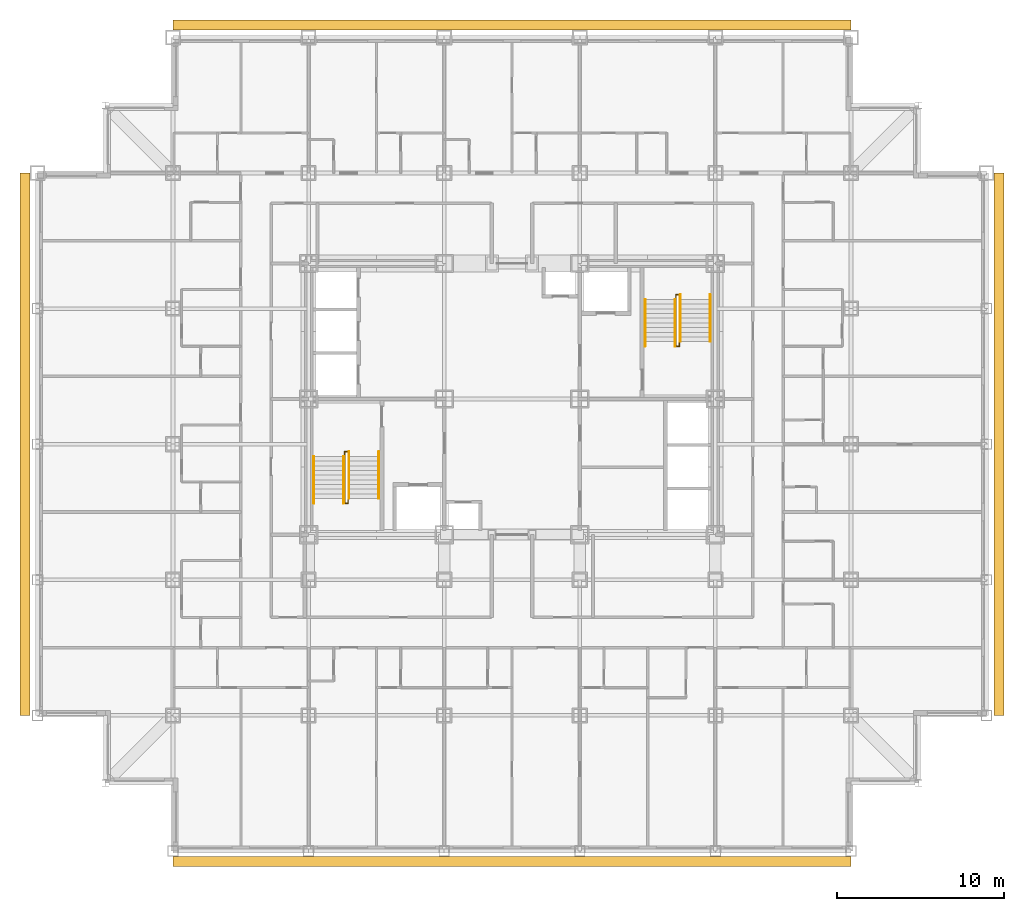
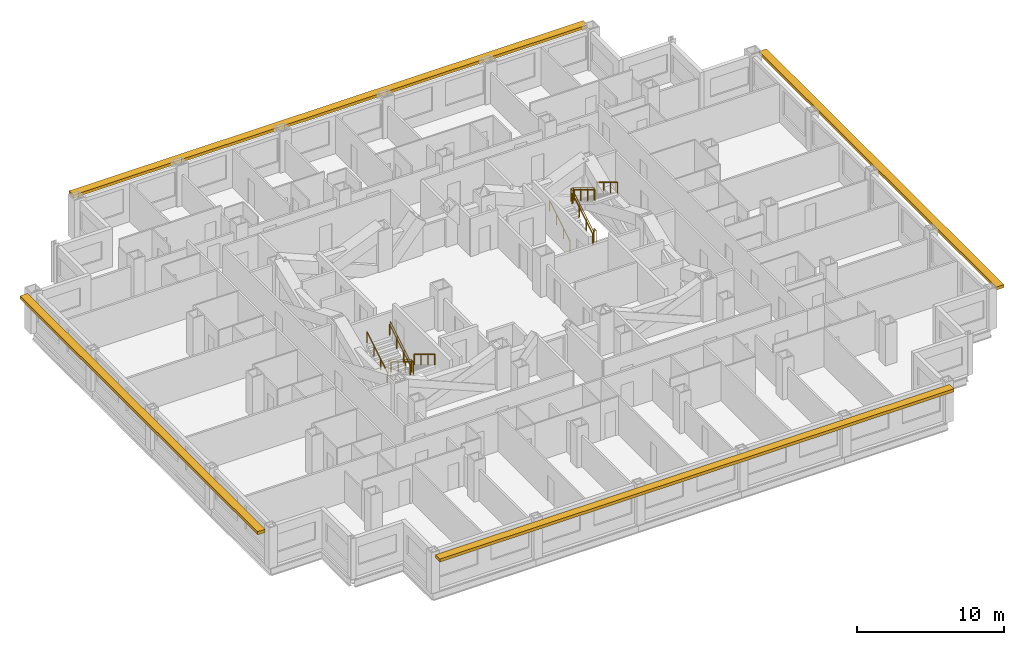
# One storey, part 12 of 12: 10 railings, 4 shading devices.
"""IFC4 building model written with IfcOpenShell, lengths in metres."""

from ifc_helpers import new_model, si_unit, direction, frame, origin, origin_2d, place, context, subcontext, project, spatial, rectangle, circle, extrude, material, type_object, element, save


model = new_model("IFC4")

# Units and contexts
model_context = context("Model", 3, precision=1e-05, world=origin(), true_north=direction((0.0, 1.0)))
body_context = subcontext(model_context, "Body", "Model", "MODEL_VIEW")
ifc_project = project(units=[si_unit("LENGTHUNIT", "METRE"), si_unit("AREAUNIT", "SQUARE_METRE"), si_unit("VOLUMEUNIT", "CUBIC_METRE"), si_unit("PLANEANGLEUNIT", "RADIAN"), si_unit("MASSUNIT", "GRAM", prefix="KILO")], contexts=[model_context])

# Site, building, storey
site_placement = place(None, origin())
site = spatial("IfcSite", under=ifc_project, at=site_placement, CompositionType="ELEMENT")
building_placement = place(site_placement, origin())
building = spatial("IfcBuilding", under=site, at=building_placement, Name="Kopane Lantern Tower", CompositionType="ELEMENT")
storey_placement = place(building_placement, frame((0.0, 0.0, 120.39990234375)))
storey = spatial("IfcBuildingStorey", under=building, at=storey_placement, Name="L30", CompositionType="ELEMENT", Elevation=120.39990234375)

# Railings
ifc_material_1 = material(Name="Steel", Category="steel")
railing_type_1 = type_object("IfcRailingType", Name="STAIR GUARD 1100", PredefinedType="GUARDRAIL", material=ifc_material_1)
railing_1_placement = place(storey_placement, frame((18.35009765625, 28.969970703125, 0.0)))
element("IfcRailing", 1, at=railing_1_placement, inside=storey, type_object=railing_type_1, Name="ST1 well guard L30", PredefinedType="GUARDRAIL", context=body_context, shape_type="SweptSolid", body=[
    extrude(circle(Radius=0.02392578125, at=origin_2d()), frame((0.0, 0.0, 1.076171875), z_axis=(0.0, 1.0, 0.0), x_axis=(-1.0, 0.0, 0.0)), (0.0, 0.0, 1.0), 0.280029296875),
    extrude(circle(Radius=0.02392578125, at=origin_2d()), frame((0.0, 0.280029296875, 1.076171875), z_axis=(1.0, 0.0, 0.0), x_axis=(0.0, 1.0, 0.0)), (0.0, 0.0, 1.0), 0.199951171875),
    extrude(circle(Radius=0.02392578125, at=origin_2d()), frame((0.199951171875, 0.280029296875, 1.076171875), z_axis=(0.0, -0.854765079529, 0.519015085347), x_axis=(1.0, 0.0, 0.0)), (0.0, 0.0, 1.0), 3.27587890625),
    extrude(circle(Radius=0.02392578125, at=origin_2d()), frame((0.199951171875, -2.52001953125, 2.7763671875), z_axis=(0.0, -1.0, 0.0), x_axis=(1.0, 0.0, 0.0)), (0.0, 0.0, 1.0), 0.280029296875),
    extrude(circle(Radius=0.02392578125, at=origin_2d()), frame((0.199951171875, -2.800048828125, 2.7763671875), z_axis=(-1.0, 0.0, 0.0), x_axis=(0.0, -1.0, 0.0)), (0.0, 0.0, 1.0), 0.199951171875),
    extrude(circle(Radius=0.02392578125, at=origin_2d()), frame((0.0, -2.800048828125, 2.7763671875), z_axis=(0.0, 0.854798142509, 0.518960630071), x_axis=(-1.0, 0.0, 0.0)), (0.0, 0.0, 1.0), 3.275634765625),
    extrude(circle(Radius=0.02099609375, at=origin_2d()), origin(), (0.0, 0.0, 1.0), 1.052001953125),
    extrude(circle(Radius=0.02099609375, at=origin_2d()), frame((0.0, 0.280029296875, 0.0)), (0.0, 0.0, 1.0), 1.052001953125),
    extrude(circle(Radius=0.02099609375, at=origin_2d()), frame((0.199951171875, 0.280029296875, 0.0)), (0.0, 0.0, 1.0), 1.052001953125),
    extrude(circle(Radius=0.02099609375, at=origin_2d()), frame((0.199951171875, -0.6533203125, 0.566650390625)), (0.0, 0.0, 1.0), 1.052001953125),
    extrude(circle(Radius=0.02099609375, at=origin_2d()), frame((0.199951171875, -1.586669921875, 1.133544921875)), (0.0, 0.0, 1.0), 1.052001953125),
    extrude(circle(Radius=0.02099609375, at=origin_2d()), frame((0.199951171875, -2.52001953125, 1.7001953125)), (0.0, 0.0, 1.0), 1.052001953125),
    extrude(circle(Radius=0.02099609375, at=origin_2d()), frame((0.199951171875, -2.800048828125, 1.7001953125)), (0.0, 0.0, 1.0), 1.052001953125),
    extrude(circle(Radius=0.02099609375, at=origin_2d()), frame((0.0, -2.800048828125, 1.7001953125)), (0.0, 0.0, 1.0), 1.052001953125),
    extrude(circle(Radius=0.02099609375, at=origin_2d()), frame((0.0, -1.86669921875, 2.266845703125)), (0.0, 0.0, 1.0), 1.052001953125),
    extrude(circle(Radius=0.02099609375, at=origin_2d()), frame((0.0, -0.933349609375, 2.83349609375)), (0.0, 0.0, 1.0), 1.052001953125),
    extrude(circle(Radius=0.02099609375, at=origin_2d()), frame((0.0, 0.0, 3.400146484375)), (0.0, 0.0, 1.0), 1.052001953125),
])
railing_2_placement = place(storey_placement, frame((38.35009765625, 35.830078125, 0.0)))
element("IfcRailing", 2, at=railing_2_placement, inside=storey, type_object=railing_type_1, Name="ST2 well guard L30", PredefinedType="GUARDRAIL", context=body_context, shape_type="SweptSolid", body=[
    extrude(circle(Radius=0.02392578125, at=origin_2d()), frame((0.0, 0.0, 1.076171875), z_axis=(0.0, -1.0, 0.0), x_axis=(1.0, 0.0, 0.0)), (0.0, 0.0, 1.0), 0.280029296875),
    extrude(circle(Radius=0.02392578125, at=origin_2d()), frame((0.0, -0.280029296875, 1.076171875), z_axis=(-1.0, 0.0, 0.0), x_axis=(0.0, -1.0, 0.0)), (0.0, 0.0, 1.0), 0.2001953125),
    extrude(circle(Radius=0.02392578125, at=origin_2d()), frame((-0.2001953125, -0.280029296875, 1.076171875), z_axis=(0.0, 0.854765079529, 0.519015085347), x_axis=(-1.0, 0.0, 0.0)), (0.0, 0.0, 1.0), 3.27587890625),
    extrude(circle(Radius=0.02392578125, at=origin_2d()), frame((-0.2001953125, 2.52001953125, 2.7763671875), z_axis=(0.0, 1.0, 0.0), x_axis=(-1.0, 0.0, 0.0)), (0.0, 0.0, 1.0), 0.27978515625),
    extrude(circle(Radius=0.02392578125, at=origin_2d()), frame((-0.2001953125, 2.7998046875, 2.7763671875), z_axis=(1.0, 0.0, 0.0), x_axis=(0.0, 1.0, 0.0)), (0.0, 0.0, 1.0), 0.2001953125),
    extrude(circle(Radius=0.02392578125, at=origin_2d()), frame((0.0, 2.7998046875, 2.7763671875), z_axis=(0.0, -0.854778067842, 0.518993694313), x_axis=(1.0, 0.0, 0.0)), (0.0, 0.0, 1.0), 3.275390625),
    extrude(circle(Radius=0.02099609375, at=origin_2d()), origin(), (0.0, 0.0, 1.0), 1.052001953125),
    extrude(circle(Radius=0.02099609375, at=origin_2d()), frame((0.0, -0.280029296875, 0.0)), (0.0, 0.0, 1.0), 1.052001953125),
    extrude(circle(Radius=0.02099609375, at=origin_2d()), frame((-0.2001953125, -0.280029296875, 0.0)), (0.0, 0.0, 1.0), 1.052001953125),
    extrude(circle(Radius=0.02099609375, at=origin_2d()), frame((-0.2001953125, 0.6533203125, 0.566650390625)), (0.0, 0.0, 1.0), 1.052001953125),
    extrude(circle(Radius=0.02099609375, at=origin_2d()), frame((-0.2001953125, 1.586669921875, 1.133544921875)), (0.0, 0.0, 1.0), 1.052001953125),
    extrude(circle(Radius=0.02099609375, at=origin_2d()), frame((-0.2001953125, 2.52001953125, 1.7001953125)), (0.0, 0.0, 1.0), 1.052001953125),
    extrude(circle(Radius=0.02099609375, at=origin_2d()), frame((-0.2001953125, 2.7998046875, 1.7001953125)), (0.0, 0.0, 1.0), 1.052001953125),
    extrude(circle(Radius=0.02099609375, at=origin_2d()), frame((0.0, 2.7998046875, 1.7001953125)), (0.0, 0.0, 1.0), 1.052001953125),
    extrude(circle(Radius=0.02099609375, at=origin_2d()), frame((0.0, 1.866455078125, 2.266845703125)), (0.0, 0.0, 1.0), 1.052001953125),
    extrude(circle(Radius=0.02099609375, at=origin_2d()), frame((0.0, 0.933349609375, 2.83349609375)), (0.0, 0.0, 1.0), 1.052001953125),
    extrude(circle(Radius=0.02099609375, at=origin_2d()), frame((0.0, 0.0, 3.400146484375)), (0.0, 0.0, 1.0), 1.052001953125),
])
ifc_material_2 = material(Name="Steel", Category="steel")
railing_type_2 = type_object("IfcRailingType", Name="STAIR HANDRAIL 900", PredefinedType="HANDRAIL", material=ifc_material_2)
for number, where, name in (
    (3, (20.389892578125, 29.25, 0.0), "ST1 handrail L30 flight 1"),
    (4, (18.610107421875, 29.25, 0.0), "ST1 handrail L30 flight 1"),
):
    element("IfcRailing", number, at=place(storey_placement, frame(where)), inside=storey, type_object=railing_type_2, Name=name, PredefinedType="HANDRAIL", context=body_context, shape_type="SweptSolid", body=[
        extrude(circle(Radius=0.02392578125, at=origin_2d()), frame((0.0, 0.0, 0.8759765625), z_axis=(0.0, -0.854765079529, 0.519015085347), x_axis=(1.0, 0.0, 0.0)), (0.0, 0.0, 1.0), 3.27587890625),
        extrude(circle(Radius=0.02099609375, at=origin_2d()), origin(), (0.0, 0.0, 1.0), 0.851806640625),
        extrude(circle(Radius=0.02099609375, at=origin_2d()), frame((0.0, -0.933349609375, 0.566650390625)), (0.0, 0.0, 1.0), 0.851806640625),
        extrude(circle(Radius=0.02099609375, at=origin_2d()), frame((0.0, -1.86669921875, 1.133544921875)), (0.0, 0.0, 1.0), 0.851806640625),
        extrude(circle(Radius=0.02099609375, at=origin_2d()), frame((0.0, -2.800048828125, 1.7001953125)), (0.0, 0.0, 1.0), 0.851806640625),
    ])
for number, where, name in (
    (5, (16.510009765625, 26.169921875, 1.7001953125), "ST1 handrail L30 flight 2"),
    (6, (18.2900390625, 26.169921875, 1.7001953125), "ST1 handrail L30 flight 2"),
):
    element("IfcRailing", number, at=place(storey_placement, frame(where)), inside=storey, type_object=railing_type_2, Name=name, PredefinedType="HANDRAIL", context=body_context, shape_type="SweptSolid", body=[
        extrude(circle(Radius=0.02392578125, at=origin_2d()), frame((0.0, 0.0, 0.8759765625), z_axis=(0.0, 0.854798142509, 0.518960630071), x_axis=(-1.0, 0.0, 0.0)), (0.0, 0.0, 1.0), 3.275634765625),
        extrude(circle(Radius=0.02099609375, at=origin_2d()), origin(), (0.0, 0.0, 1.0), 0.851806640625),
        extrude(circle(Radius=0.02099609375, at=origin_2d()), frame((0.0, 0.933349609375, 0.566650390625)), (0.0, 0.0, 1.0), 0.851806640625),
        extrude(circle(Radius=0.02099609375, at=origin_2d()), frame((0.0, 1.86669921875, 1.13330078125)), (0.0, 0.0, 1.0), 0.851806640625),
        extrude(circle(Radius=0.02099609375, at=origin_2d()), frame((0.0, 2.800048828125, 1.699951171875)), (0.0, 0.0, 1.0), 0.851806640625),
    ])
for number, where, name in (
    (7, (36.31005859375, 35.550048828125, 0.0), "ST2 handrail L30 flight 1"),
    (8, (38.090087890625, 35.550048828125, 0.0), "ST2 handrail L30 flight 1"),
):
    element("IfcRailing", number, at=place(storey_placement, frame(where)), inside=storey, type_object=railing_type_2, Name=name, PredefinedType="HANDRAIL", context=body_context, shape_type="SweptSolid", body=[
        extrude(circle(Radius=0.02392578125, at=origin_2d()), frame((0.0, 0.0, 0.8759765625), z_axis=(0.0, 0.854765079529, 0.519015085347), x_axis=(-1.0, 0.0, 0.0)), (0.0, 0.0, 1.0), 3.27587890625),
        extrude(circle(Radius=0.02099609375, at=origin_2d()), origin(), (0.0, 0.0, 1.0), 0.851806640625),
        extrude(circle(Radius=0.02099609375, at=origin_2d()), frame((0.0, 0.933349609375, 0.566650390625)), (0.0, 0.0, 1.0), 0.851806640625),
        extrude(circle(Radius=0.02099609375, at=origin_2d()), frame((0.0, 1.86669921875, 1.133544921875)), (0.0, 0.0, 1.0), 0.851806640625),
        extrude(circle(Radius=0.02099609375, at=origin_2d()), frame((0.0, 2.800048828125, 1.7001953125)), (0.0, 0.0, 1.0), 0.851806640625),
    ])
for number, where, name in (
    (9, (40.18994140625, 38.6298828125, 1.7001953125), "ST2 handrail L30 flight 2"),
    (10, (38.409912109375, 38.6298828125, 1.7001953125), "ST2 handrail L30 flight 2"),
):
    element("IfcRailing", number, at=place(storey_placement, frame(where)), inside=storey, type_object=railing_type_2, Name=name, PredefinedType="HANDRAIL", context=body_context, shape_type="SweptSolid", body=[
        extrude(circle(Radius=0.02392578125, at=origin_2d()), frame((0.0, 0.0, 0.8759765625), z_axis=(0.0, -0.854778067842, 0.518993694313), x_axis=(1.0, 0.0, 0.0)), (0.0, 0.0, 1.0), 3.275390625),
        extrude(circle(Radius=0.02099609375, at=origin_2d()), origin(), (0.0, 0.0, 1.0), 0.851806640625),
        extrude(circle(Radius=0.02099609375, at=origin_2d()), frame((0.0, -0.933349609375, 0.566650390625)), (0.0, 0.0, 1.0), 0.851806640625),
        extrude(circle(Radius=0.02099609375, at=origin_2d()), frame((0.0, -1.866455078125, 1.13330078125)), (0.0, 0.0, 1.0), 0.851806640625),
        extrude(circle(Radius=0.02099609375, at=origin_2d()), frame((0.0, -2.7998046875, 1.699951171875)), (0.0, 0.0, 1.0), 0.851806640625),
    ])

# Shading devices
ifc_material_3 = material(Name="Terracotta rainscreen on light steel framing", Category="masonry")
shading_device_type = type_object("IfcShadingDeviceType", Name="SUNSHADE BAND SB1 600 TERRACOTTA", PredefinedType="USERDEFINED", material=ifc_material_3)
shading_device_1_placement = place(storey_placement, frame((28.35009765625, 4.77490234375, 2.900146484375), z_axis=(0.0, 0.0, 1.0), x_axis=(1.0, 0.0, 0.0)))
element("IfcShadingDevice", 11, at=shading_device_1_placement, inside=storey, type_object=shading_device_type, Name="Sunshade band S L30", ObjectType="SUNSHADE BAND", PredefinedType="USERDEFINED", context=body_context, shape_type="SweptSolid", body=[
    extrude(rectangle(XDim=40.5, YDim=0.60009765625, at=origin_2d()), origin(), (0.0, 0.0, 1.0), 0.25),
])
shading_device_2_placement = place(storey_placement, frame((57.449951171875, 29.699951171875, 2.900146484375), z_axis=(0.0, 0.0, 1.0), x_axis=(0.0, 1.0, 0.0)))
element("IfcShadingDevice", 12, at=shading_device_2_placement, inside=storey, type_object=shading_device_type, Name="Sunshade band E L30", ObjectType="SUNSHADE BAND", PredefinedType="USERDEFINED", context=body_context, shape_type="SweptSolid", body=[
    extrude(rectangle(XDim=32.39990234375, YDim=0.60009765625, at=origin_2d()), origin(), (0.0, 0.0, 1.0), 0.25),
])
shading_device_3_placement = place(storey_placement, frame((28.35009765625, 54.75, 2.900146484375), z_axis=(0.0, 0.0, 1.0), x_axis=(-1.0, 0.0, 0.0)))
element("IfcShadingDevice", 13, at=shading_device_3_placement, inside=storey, type_object=shading_device_type, Name="Sunshade band N L30", ObjectType="SUNSHADE BAND", PredefinedType="USERDEFINED", context=body_context, shape_type="SweptSolid", body=[
    extrude(rectangle(XDim=40.5, YDim=0.60009765625, at=origin_2d()), origin(), (0.0, 0.0, 1.0), 0.25),
])
shading_device_4_placement = place(storey_placement, frame((-0.75, 29.699951171875, 2.900146484375), z_axis=(0.0, 0.0, 1.0), x_axis=(0.0, -1.0, 0.0)))
element("IfcShadingDevice", 14, at=shading_device_4_placement, inside=storey, type_object=shading_device_type, Name="Sunshade band W L30", ObjectType="SUNSHADE BAND", PredefinedType="USERDEFINED", context=body_context, shape_type="SweptSolid", body=[
    extrude(rectangle(XDim=32.39990234375, YDim=0.60009765625, at=origin_2d()), origin(), (0.0, 0.0, 1.0), 0.25),
])

save(model, "model.ifc")
